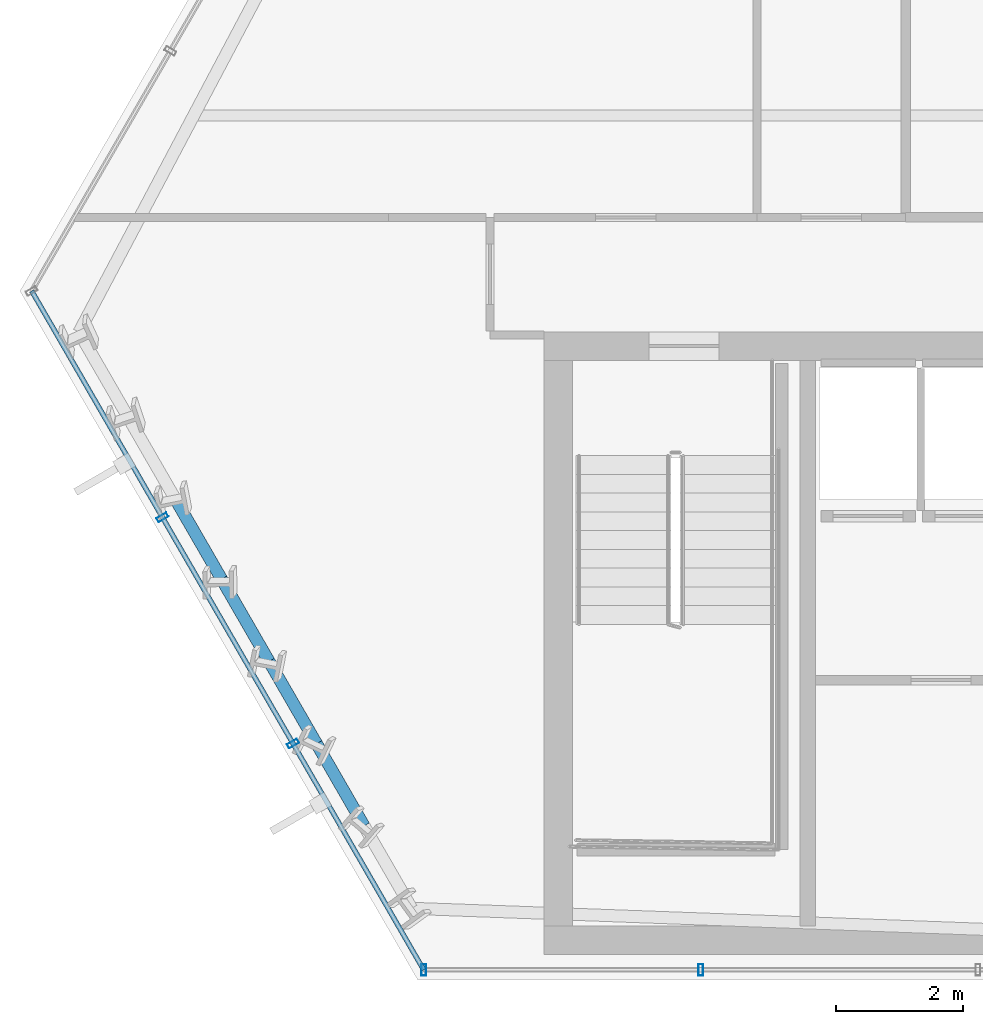
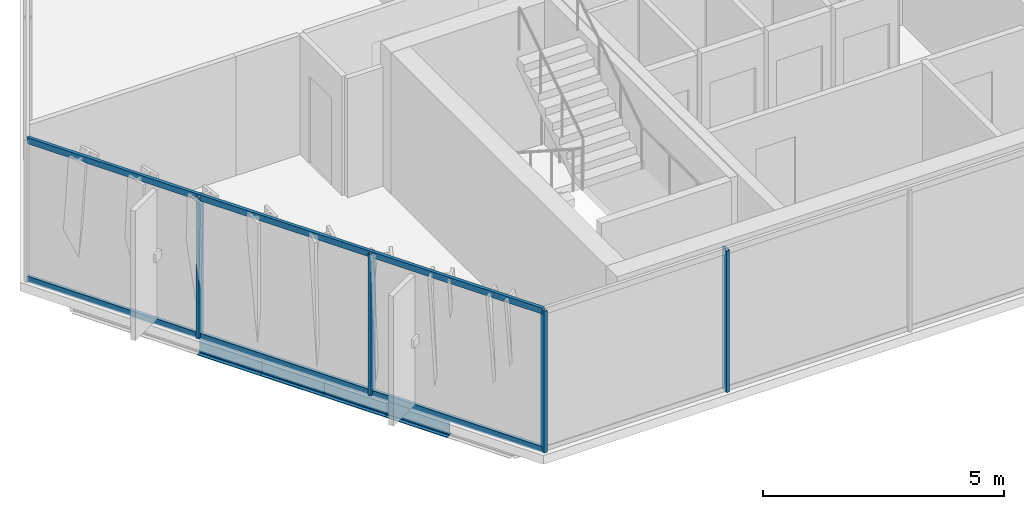
# One storey, part 2 of 32: 6 members, 4 beams, 2 elements without a shape of their own.
"""IFC4 building model written with IfcOpenShell, lengths in metres."""

from ifc_helpers import new_model, si_unit, direction, frame, origin, origin_2d, place, context, subcontext, project, spatial, hollow_rectangle, i_section, extrude, material, layer, layer_set, material_profile, profile_set, type_object, element, aggregate, save


model = new_model("IFC4")

# Units and contexts
model_context = context("Model", 3, precision=1e-05, world=origin(), true_north=direction((0.0, 1.0)))
body_context = subcontext(model_context, "Body", "Model", "MODEL_VIEW")
ifc_project = project(units=[si_unit("LENGTHUNIT", "METRE"), si_unit("AREAUNIT", "SQUARE_METRE"), si_unit("VOLUMEUNIT", "CUBIC_METRE"), si_unit("PLANEANGLEUNIT", "RADIAN"), si_unit("MASSUNIT", "GRAM", prefix="KILO")], contexts=[model_context])

# Site, building, storey
site_placement = place(None, origin())
site = spatial("IfcSite", under=ifc_project, at=site_placement, CompositionType="ELEMENT")
building_placement = place(site_placement, origin())
building = spatial("IfcBuilding", under=site, at=building_placement, Name="Ndaravel Arena Tower", CompositionType="ELEMENT")
storey_placement = place(building_placement, frame((0.0, 0.0, 134.60009765625)))
storey = spatial("IfcBuildingStorey", under=building, at=storey_placement, Name="L31", CompositionType="ELEMENT", Elevation=134.60009765625)

# Beams
ifc_material_1 = material(Name="Steel S355", Category="steel")
ifc_material_profile_1 = material_profile(ifc_material_1, i_section(OverallWidth=0.18994140625, OverallDepth=0.449951171875, WebThickness=0.009521484375, FlangeThickness=0.0146484375, FilletRadius=0.02099609375, at=origin_2d()), Name="IPE 450")
ifc_profile_set_1 = profile_set([ifc_material_profile_1], Name="Steel S355")
beam_type = type_object("IfcBeamType", Name="BM-SPAN-IPE450", PredefinedType="SPANDREL", material=ifc_profile_set_1)
for number, where, z_axis, x_axis, name in (
    (1, (20.62744140625, 12.603271484375, -0.445068359375), (0.500019200167, -0.866014318279, 0.0), (0.866014318279, 0.500019200167, 0.0), "L31 Perimeter Spandrel Beam SP-22"),
    (2, (21.375244140625, 11.30810546875, -0.445068359375), (0.500019200167, -0.866014318279, 0.0), (0.866014318279, 0.500019200167, 0.0), "L31 Perimeter Spandrel Beam SP-23"),
    (3, (22.123046875, 10.012939453125, -0.445068359375), (0.500019200167, -0.866014318279, 0.0), (0.866014318279, 0.500019200167, 0.0), "L31 Perimeter Spandrel Beam SP-24"),
):
    element("IfcBeam", number, at=place(storey_placement, frame(where, z_axis=z_axis, x_axis=x_axis)), inside=storey, type_object=beam_type, Name=name, PredefinedType="SPANDREL", context=body_context, shape_type="SweptSolid", body=[
        extrude(i_section(OverallWidth=0.18994140625, OverallDepth=0.449951171875, WebThickness=0.009521484375, FlangeThickness=0.0146484375, FilletRadius=0.02099609375, at=origin_2d()), origin(), (0.0, 0.0, 1.0), 1.49560546875),
    ])
beam_placement = place(storey_placement, frame((22.870849609375, 8.7177734375, -0.445068359375), z_axis=(0.499896754619, -0.866085004328, 0.0), x_axis=(0.866085004328, 0.499896754619, 0.0)))
element("IfcBeam", 4, at=beam_placement, inside=storey, type_object=beam_type, Name="L31 Perimeter Spandrel Beam SP-25", PredefinedType="SPANDREL", context=body_context, shape_type="SweptSolid", body=[
    extrude(i_section(OverallWidth=0.18994140625, OverallDepth=0.449951171875, WebThickness=0.009521484375, FlangeThickness=0.0146484375, FilletRadius=0.02099609375, at=origin_2d()), origin(), (0.0, 0.0, 1.0), 1.495361328125),
])

# Curtain wall, members
ifc_material_2 = material(Name="Aluminium", Category="aluminium")
ifc_layer_1 = layer(ifc_material_2, 0.179931640625)
ifc_layer_set_1 = layer_set([ifc_layer_1], Name="Aluminium")
curtain_wall_type_1 = type_object("IfcCurtainWallType", Name="CW-SYS-03", PredefinedType="NOTDEFINED", material=ifc_layer_set_1)
curtain_wall_1_placement = place(storey_placement, origin())
curtain_wall_1 = element("IfcCurtainWall", 5, at=curtain_wall_1_placement, inside=storey, type_object=curtain_wall_type_1, Name="L31 Faceted Crystal Curtain Wall CW-L31-E01", PredefinedType="NOTDEFINED")
ifc_material_3 = material(Name="Aluminium", Category="aluminium")
ifc_material_profile_2 = material_profile(ifc_material_3, hollow_rectangle(XDim=0.074951171875, YDim=0.179931640625, WallThickness=0.00390625, at=origin_2d()), Name="CW MULLION 75x180x4")
ifc_profile_set_2 = profile_set([ifc_material_profile_2], Name="Aluminium")
member_type_1 = type_object("IfcMemberType", Name="MEM-CW-MUL180", PredefinedType="MULLION", material=ifc_profile_set_2)
member_1_placement = place(storey_placement, frame((24.555419921875, 5.159912109375, 0.0), z_axis=(0.0, 0.0, 1.0), x_axis=(1.0, 0.0, 0.0)))
member_1 = element("IfcMember", 6, at=member_1_placement, type_object=member_type_1, Name="CW-L31-E01 Mullion 00", PredefinedType="MULLION", context=body_context, shape_type="SweptSolid", body=[
    extrude(hollow_rectangle(XDim=0.074951171875, YDim=0.179931640625, WallThickness=0.00390625, at=origin_2d()), origin(), (0.0, 0.0, 1.0), 3.579833984375),
])
member_2_placement = place(storey_placement, frame((28.91650390625, 5.159912109375, 0.0), z_axis=(0.0, 0.0, 1.0), x_axis=(1.0, 0.0, 0.0)))
member_2 = element("IfcMember", 7, at=member_2_placement, type_object=member_type_1, Name="CW-L31-E01 Mullion 01", PredefinedType="MULLION", context=body_context, shape_type="SweptSolid", body=[
    extrude(hollow_rectangle(XDim=0.074951171875, YDim=0.179931640625, WallThickness=0.00390625, at=origin_2d()), origin(), (0.0, 0.0, 1.0), 3.579833984375),
])
aggregate(curtain_wall_1, [member_1, member_2])

ifc_material_4 = material(Name="Aluminium", Category="aluminium")
ifc_layer_2 = layer(ifc_material_4, 0.179931640625)
ifc_layer_set_2 = layer_set([ifc_layer_2], Name="Aluminium")
curtain_wall_type_2 = type_object("IfcCurtainWallType", Name="CW-SYS-02", PredefinedType="NOTDEFINED", material=ifc_layer_set_2)
curtain_wall_2_placement = place(storey_placement, origin())
curtain_wall_2 = element("IfcCurtainWall", 8, at=curtain_wall_2_placement, inside=storey, type_object=curtain_wall_type_2, Name="L31 Faceted Crystal Curtain Wall CW-L31-E06", PredefinedType="NOTDEFINED")
member_3_placement = place(storey_placement, frame((20.4443359375, 12.28076171875, 0.0), z_axis=(0.0, 0.0, 1.0), x_axis=(0.5, -0.866025403784, 0.0)))
member_3 = element("IfcMember", 9, at=member_3_placement, type_object=member_type_1, Name="CW-L31-E06 Mullion 01", PredefinedType="MULLION", context=body_context, shape_type="SweptSolid", body=[
    extrude(hollow_rectangle(XDim=0.074951171875, YDim=0.179931640625, WallThickness=0.00390625, at=origin_2d()), origin(), (0.0, 0.0, 1.0), 3.579833984375),
])
member_4_placement = place(storey_placement, frame((22.499755859375, 8.720458984375, 0.0), z_axis=(0.0, 0.0, 1.0), x_axis=(0.5, -0.866025403784, 0.0)))
member_4 = element("IfcMember", 10, at=member_4_placement, type_object=member_type_1, Name="CW-L31-E06 Mullion 02", PredefinedType="MULLION", context=body_context, shape_type="SweptSolid", body=[
    extrude(hollow_rectangle(XDim=0.074951171875, YDim=0.179931640625, WallThickness=0.00390625, at=origin_2d()), origin(), (0.0, 0.0, 1.0), 3.579833984375),
])
ifc_material_5 = material(Name="Aluminium", Category="aluminium")
ifc_material_profile_3 = material_profile(ifc_material_5, hollow_rectangle(XDim=0.074951171875, YDim=0.14990234375, WallThickness=0.00390625, at=origin_2d()), Name="CW TRANSOM 75x150x4")
ifc_profile_set_3 = profile_set([ifc_material_profile_3], Name="Aluminium")
member_type_2 = type_object("IfcMemberType", Name="MEM-CW-TRN150", PredefinedType="USERDEFINED", material=ifc_profile_set_3)
member_5_placement = place(storey_placement, frame((18.388671875, 15.841064453125, 0.039794921875), z_axis=(0.499998897271, -0.866026040445, 0.0), x_axis=(0.866026040445, 0.499998897271, 0.0)))
member_5 = element("IfcMember", 11, at=member_5_placement, type_object=member_type_2, Name="CW-L31-E06 Transom 01", ObjectType="TRANSOM", PredefinedType="USERDEFINED", context=body_context, shape_type="SweptSolid", body=[
    extrude(hollow_rectangle(XDim=0.074951171875, YDim=0.14990234375, WallThickness=0.00390625, at=origin_2d()), origin(), (0.0, 0.0, 1.0), 12.33349609375),
])
member_6_placement = place(storey_placement, frame((18.388671875, 15.841064453125, 3.539794921875), z_axis=(0.499998897271, -0.866026040445, 0.0), x_axis=(0.866026040445, 0.499998897271, 0.0)))
member_6 = element("IfcMember", 12, at=member_6_placement, type_object=member_type_2, Name="CW-L31-E06 Transom 02", ObjectType="TRANSOM", PredefinedType="USERDEFINED", context=body_context, shape_type="SweptSolid", body=[
    extrude(hollow_rectangle(XDim=0.074951171875, YDim=0.14990234375, WallThickness=0.00390625, at=origin_2d()), origin(), (0.0, 0.0, 1.0), 12.33349609375),
])
aggregate(curtain_wall_2, [member_3, member_4, member_5, member_6])

save(model, "model.ifc")
